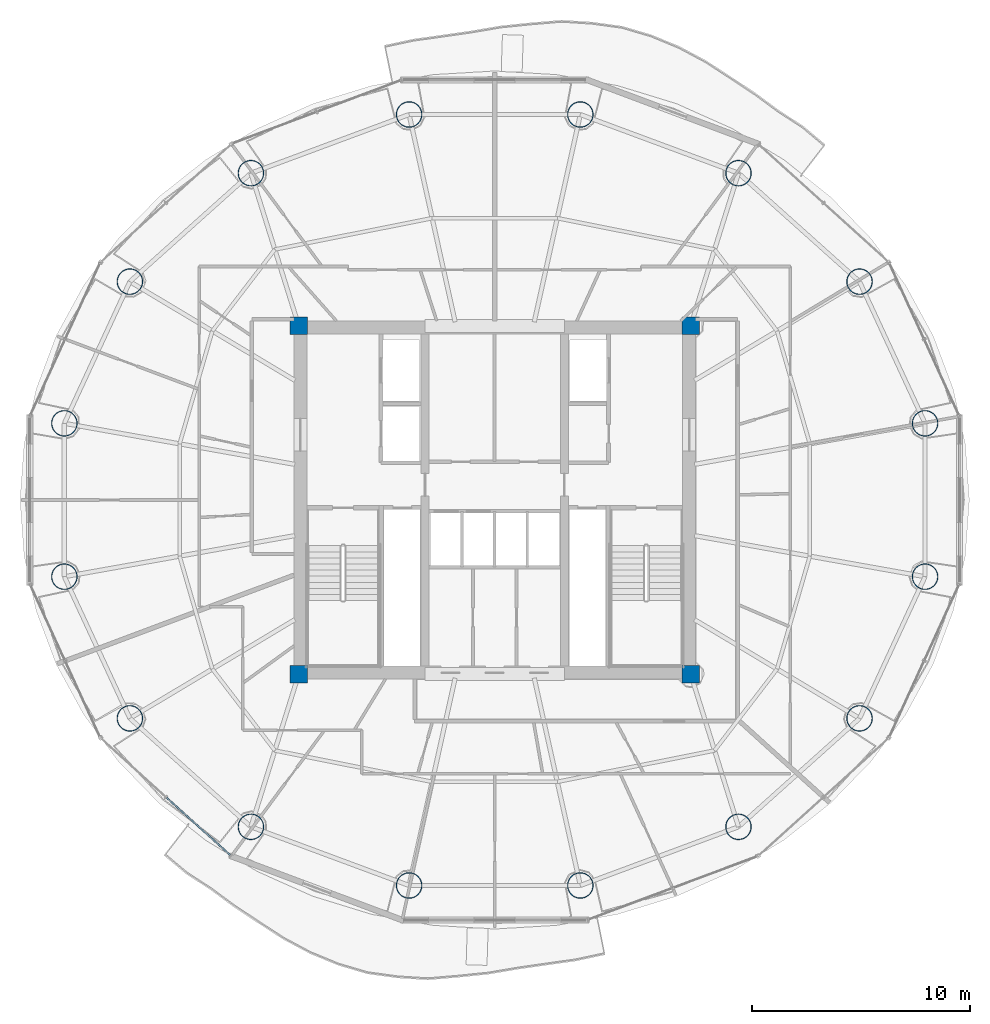
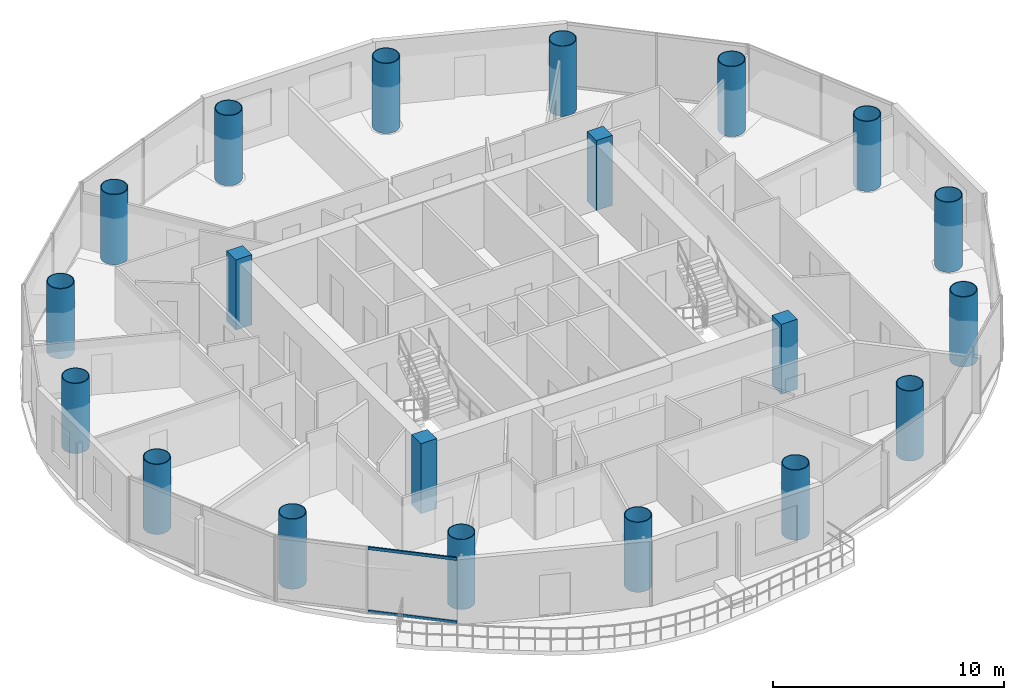
# One storey, part 1 of 26: 20 columns, 2 members, 1 element without a shape of its own.
"""IFC4 building model written with IfcOpenShell, lengths in metres."""

import ifcopenshell
import ifcopenshell.guid

model = None  # the IFC model being written
_history = None  # IfcOwnerHistory: only IFC2X3 demands one
_inside = {}  # id of a spatial element -> (the spatial element, [elements in it])
_under = {}  # id of a project, library or spatial element -> (it, [spatial elements below it])
_declared = {}  # id of a project -> (the project, [libraries it declares])
_typed = {}  # id of a type object -> (the type object, [elements of that type])
_made_of = {}  # id of a material, layer set ... -> (it, [elements and type objects made of it])


def new_model(schema):
    """Start an empty IFC model of exactly this schema.

    Asked for "IFC4X3", IfcOpenShell would pick the latest addendum, in which some entities
    have other attributes; the version numbers below select the first issue.
    IFC2X3 requires an IfcOwnerHistory on every rooted entity: one is made here for all.
    """
    global model, _history
    if schema == "IFC4X3":
        model = ifcopenshell.file(schema_version=(4, 3, 0, 0))
    else:
        model = ifcopenshell.file(schema=schema)
    _inside.clear()
    _under.clear()
    _declared.clear()
    _typed.clear()
    _made_of.clear()
    _history = None
    if model.schema == "IFC2X3":
        org = make("IfcOrganization", Name="unknown")
        user = make(
            "IfcPersonAndOrganization",
            ThePerson=make("IfcPerson", FamilyName="unknown"),
            TheOrganization=org,
        )
        app = make(
            "IfcApplication",
            ApplicationDeveloper=org,
            Version="unknown",
            ApplicationFullName="unknown",
            ApplicationIdentifier="unknown",
        )
        _history = make(
            "IfcOwnerHistory",
            OwningUser=user,
            OwningApplication=app,
            ChangeAction="ADDED",
            CreationDate=0,
        )
    return model


def make(cls, **values):
    """One entity of the class cls with the attributes given. An attribute that is None is left unset."""
    return model.create_entity(
        cls, **{name: value for name, value in values.items() if value is not None}
    )


def rooted(cls, **values):
    """An entity with a GlobalId (a new one), such as an element, a storey or a relation."""
    return make(cls, GlobalId=ifcopenshell.guid.new(), OwnerHistory=_history, **values)


def si_unit(unit_type, name, prefix=None):
    """IfcSIUnit, for example si_unit("LENGTHUNIT", "METRE", prefix="MILLI")."""
    return make("IfcSIUnit", UnitType=unit_type, Prefix=prefix, Name=name)


def assignment(units):
    """IfcUnitAssignment: the units of a project."""
    return None if units is None else make("IfcUnitAssignment", Units=units)


def point(xyz):
    """IfcCartesianPoint."""
    return None if xyz is None else make("IfcCartesianPoint", Coordinates=xyz)


def direction(xyz):
    """IfcDirection."""
    return None if xyz is None else make("IfcDirection", DirectionRatios=xyz)


def frame(location, z_axis=None, x_axis=None):
    """IfcAxis2Placement3D, a coordinate frame: its origin and axes. An axis left out is left unset."""
    return make(
        "IfcAxis2Placement3D",
        Location=point(location),
        Axis=direction(z_axis),
        RefDirection=direction(x_axis),
    )


def frame_2d(location, x_axis=None):
    """IfcAxis2Placement2D, a coordinate frame in the plane: its origin and x axis."""
    return make(
        "IfcAxis2Placement2D", Location=point(location), RefDirection=direction(x_axis)
    )


def origin():
    """The frame at (0, 0, 0) with its axes left unset."""
    return frame((0.0, 0.0, 0.0))


def origin_2d():
    """The frame at (0, 0) in the plane with its x axis left unset."""
    return frame_2d((0.0, 0.0))


def place(relative_to, where):
    """IfcLocalPlacement: puts the frame where relative to a parent placement (None: the world)."""
    return make(
        "IfcLocalPlacement", PlacementRelTo=relative_to, RelativePlacement=where
    )


def context(
    kind, dimensions, precision=None, world=None, true_north=None, identifier=None
):
    """IfcGeometricRepresentationContext, for example the 3D "Model" context."""
    return make(
        "IfcGeometricRepresentationContext",
        ContextIdentifier=identifier,
        ContextType=kind,
        CoordinateSpaceDimension=dimensions,
        Precision=precision,
        WorldCoordinateSystem=world,
        TrueNorth=true_north,
    )


def subcontext(parent, identifier, kind, view, scale=None):
    """IfcGeometricRepresentationSubContext, for example "Body" below "Model"."""
    return make(
        "IfcGeometricRepresentationSubContext",
        ContextIdentifier=identifier,
        ContextType=kind,
        ParentContext=parent,
        TargetScale=scale,
        TargetView=view,
    )


def project(units=None, contexts=None):
    """IfcProject with its units and contexts."""
    return rooted(
        "IfcProject",
        Name="project",
        RepresentationContexts=contexts,
        UnitsInContext=assignment(units),
    )


def spatial(cls, under=None, at=None, **own):
    """A site, building, storey or space (cls), placed at a placement, below another one or the project."""
    s = rooted(cls, ObjectPlacement=at, **own)
    if under is not None:
        _under.setdefault(under.id(), (under, []))[1].append(s)
    return s


def profile(cls, at=None, kind="AREA", **sizes):
    """A parametric profile (cls). Its sizes go by their IFC names, for example OverallWidth=200.0."""
    return make(cls, ProfileType=kind, Position=at, **sizes)


def rectangle(**sizes):
    """IfcRectangleProfileDef."""
    return profile("IfcRectangleProfileDef", **sizes)


def hollow_rectangle(**sizes):
    """IfcRectangleHollowProfileDef."""
    return profile("IfcRectangleHollowProfileDef", **sizes)


def hollow_circle(**sizes):
    """IfcCircleHollowProfileDef."""
    return profile("IfcCircleHollowProfileDef", **sizes)


def extrude(swept, where, along, depth):
    """IfcExtrudedAreaSolid: the profile swept, set in the frame where, extruded along a direction by depth."""
    return make(
        "IfcExtrudedAreaSolid",
        SweptArea=swept,
        Position=where,
        ExtrudedDirection=direction(along),
        Depth=depth,
    )


def shape(context_of_items, identifier, shape_type, items):
    """IfcShapeRepresentation: the items that make up one representation, for example the "Body"."""
    return make(
        "IfcShapeRepresentation",
        ContextOfItems=context_of_items,
        RepresentationIdentifier=identifier,
        RepresentationType=shape_type,
        Items=items,
    )


def source(mapping_origin, context_of_items, identifier, shape_type, items):
    """IfcRepresentationMap: a shape defined once, which mapped items show again and again."""
    return make(
        "IfcRepresentationMap",
        MappingOrigin=mapping_origin,
        MappedRepresentation=shape(context_of_items, identifier, shape_type, items),
    )


def transform(
    local_origin,
    x_axis=None,
    y_axis=None,
    z_axis=None,
    scale=None,
    scale2=None,
    scale3=None,
    uniform=True,
):
    """IfcCartesianTransformationOperator3D, or its non-uniform kind. x_axis, y_axis, z_axis: its Axis1, 2, 3."""
    if uniform:
        return make(
            "IfcCartesianTransformationOperator3D",
            Axis1=direction(x_axis),
            Axis2=direction(y_axis),
            LocalOrigin=point(local_origin),
            Scale=scale,
            Axis3=direction(z_axis),
        )
    return make(
        "IfcCartesianTransformationOperator3DnonUniform",
        Axis1=direction(x_axis),
        Axis2=direction(y_axis),
        LocalOrigin=point(local_origin),
        Scale=scale,
        Axis3=direction(z_axis),
        Scale2=scale2,
        Scale3=scale3,
    )


def mapped(mapping_source, mapping_target):
    """IfcMappedItem: shows the shape of a source again, moved by a transform."""
    return make(
        "IfcMappedItem", MappingSource=mapping_source, MappingTarget=mapping_target
    )


def material(Name=None, Category=None):
    """IfcMaterial."""
    return make("IfcMaterial", Name=Name, Category=Category)


def material_profile(
    of_material, cross_section, Name=None, Category=None, Priority=None
):
    """IfcMaterialProfile: a cross section and its material."""
    return make(
        "IfcMaterialProfile",
        Name=Name,
        Material=of_material,
        Profile=cross_section,
        Priority=Priority,
        Category=Category,
    )


def profile_set(profiles, Name=None, composite=None):
    """IfcMaterialProfileSet."""
    return make(
        "IfcMaterialProfileSet",
        Name=Name,
        MaterialProfiles=profiles,
        CompositeProfile=composite,
    )


def made_of(thing, what):
    """Note that an element or type object is made of a material, layer set ...; save() writes the relation."""
    if what is not None:
        _made_of.setdefault(what.id(), (what, []))[1].append(thing)
    return thing


def type_object(cls, material=None, **own):
    """A type object (cls), such as IfcWallType, which elements share."""
    return made_of(rooted(cls, **own), material)


def element(
    cls,
    number,
    at=None,
    inside=None,
    cuts=None,
    type_object=None,
    material=None,
    context=None,
    identifier="Body",
    shape_type=None,
    held_by="IfcProductDefinitionShape",
    body=None,
    shapes=None,
    **own,
):
    """One element of the class cls, such as IfcWall. Its Tag is "e" and its number.

    at: its placement. inside: the storey or other place that contains it. cuts: it is an
    opening in that element (IfcRelVoidsElement). A single representation is given by context,
    identifier, shape_type and body (its items); several are given by shapes. held_by: the class
    of the entity that holds the representations. save() writes the other relations.
    """
    e = rooted(cls, Tag="e%d" % number, ObjectPlacement=at, **own)
    if body is not None:
        shapes = [shape(context, identifier, shape_type, body)]
    if shapes is not None:
        e.Representation = make(held_by, Representations=shapes)
    if inside is not None:
        _inside.setdefault(inside.id(), (inside, []))[1].append(e)
    if cuts is not None:
        rooted(
            "IfcRelVoidsElement", RelatingBuildingElement=cuts, RelatedOpeningElement=e
        )
    if type_object is not None:
        _typed.setdefault(type_object.id(), (type_object, []))[1].append(e)
    return made_of(e, material)


def aggregate(whole, parts):
    """IfcRelAggregates: a whole, such as a stair, and the parts it consists of."""
    return rooted("IfcRelAggregates", RelatingObject=whole, RelatedObjects=parts)


def save(model, path):
    """Write the relations noted so far, then the file.

    IfcRelAggregates (storeys below a building ...), IfcRelContainedInSpatialStructure (elements
    in a storey), IfcRelDefinesByType, IfcRelAssociatesMaterial and IfcRelDeclares: one each for
    every whole, place, type object, material and project.
    """
    for whole, parts in _under.values():
        aggregate(whole, parts)
    for where, things in _inside.values():
        rooted(
            "IfcRelContainedInSpatialStructure",
            RelatedElements=things,
            RelatingStructure=where,
        )
    for kind, things in _typed.values():
        rooted("IfcRelDefinesByType", RelatedObjects=things, RelatingType=kind)
    for what, things in _made_of.values():
        rooted("IfcRelAssociatesMaterial", RelatedObjects=things, RelatingMaterial=what)
    for by, libraries in _declared.values():
        rooted("IfcRelDeclares", RelatingContext=by, RelatedDefinitions=libraries)
    model.write(path)


model = new_model("IFC4")

# Units and contexts
model_context = context("Model", 3, precision=1e-05, world=origin(), true_north=direction((-0.2419218956, 0.970295726276)))
body_context = subcontext(model_context, "Body", "Model", "MODEL_VIEW")
ifc_project = project(units=[si_unit("LENGTHUNIT", "METRE"), si_unit("AREAUNIT", "SQUARE_METRE"), si_unit("VOLUMEUNIT", "CUBIC_METRE"), si_unit("PLANEANGLEUNIT", "RADIAN"), si_unit("MASSUNIT", "GRAM", prefix="KILO")], contexts=[model_context])

# Site, building, storey
site_placement = place(None, origin())
site = spatial("IfcSite", under=ifc_project, at=site_placement, CompositionType="ELEMENT")
building_placement = place(site_placement, origin())
building = spatial("IfcBuilding", under=site, at=building_placement, Name="Cobrevalo Terracotta Tower", CompositionType="ELEMENT")
storey_placement = place(building_placement, frame((0.0, 0.0, 206.0)))
storey = spatial("IfcBuildingStorey", under=building, at=storey_placement, Name="L54", CompositionType="ELEMENT", Elevation=206.0)

# Columns
ifc_material_1 = material(Name="Steel S355", Category="steel")
ifc_material_profile_1 = material_profile(ifc_material_1, hollow_circle(Radius=0.60009765625, WallThickness=0.0380859375, at=origin_2d()), Name="CHS 1200x38")
ifc_profile_set_1 = profile_set([ifc_material_profile_1], Name="Steel S355")
column_type_1 = type_object("IfcColumnType", Name="Structural Column CHS 1200x38 (Steel S355)", PredefinedType="COLUMN", material=ifc_profile_set_1)
for number, where, z_axis, x_axis, name in (
    (1, (57.762939453125, 30.3212890625, 0.0), (0.0, 0.0, 1.0), (1.0, 0.0, 0.0), "L54 composite megacolumn MC01"),
    (2, (54.754150390625, 36.828125, 0.0), (0.0, 0.0, 1.0), (1.0, 0.0, 0.0), "L54 composite megacolumn MC02"),
    (3, (49.19482421875, 41.80810546875, 0.0), (0.0, 0.0, 1.0), (1.0, 0.0, 0.0), "L54 composite megacolumn MC03"),
    (4, (41.93115234375, 44.503173828125, 0.0), (0.0, 0.0, 1.0), (1.0, 0.0, 0.0), "L54 composite megacolumn MC04"),
    (5, (34.06884765625, 44.503173828125, 0.0), (0.0, 0.0, 1.0), (1.0, 0.0, 0.0), "L54 composite megacolumn MC05"),
    (6, (26.80517578125, 41.80810546875, 0.0), (0.0, 0.0, 1.0), (1.0, 0.0, 0.0), "L54 composite megacolumn MC06"),
    (7, (21.245849609375, 36.828125, 0.0), (0.0, 0.0, 1.0), (1.0, 0.0, 0.0), "L54 composite megacolumn MC07"),
    (8, (18.237060546875, 30.3212890625, 0.0), (0.0, 0.0, 1.0), (1.0, 0.0, 0.0), "L54 composite megacolumn MC08"),
    (9, (18.237060546875, 23.278564453125, 0.0), (0.0, 0.0, 1.0), (1.0, 0.0, 0.0), "L54 composite megacolumn MC09"),
    (10, (21.245849609375, 16.77197265625, 0.0), (0.0, 0.0, 1.0), (1.0, 0.0, 0.0), "L54 composite megacolumn MC10"),
    (11, (26.80517578125, 11.7919921875, 0.0), (0.0, 0.0, 1.0), (1.0, 0.0, 0.0), "L54 composite megacolumn MC11"),
    (12, (34.06884765625, 9.096923828125, 0.0), (0.0, 0.0, 1.0), (1.0, 0.0, 0.0), "L54 composite megacolumn MC12"),
    (13, (41.93115234375, 9.096923828125, 0.0), (0.0, 0.0, 1.0), (1.0, 0.0, 0.0), "L54 composite megacolumn MC13"),
    (14, (49.19482421875, 11.7919921875, 0.0), (0.0, 0.0, 1.0), (1.0, 0.0, 0.0), "L54 composite megacolumn MC14"),
    (15, (54.754150390625, 16.77197265625, 0.0), (0.0, 0.0, 1.0), (1.0, 0.0, 0.0), "L54 composite megacolumn MC15"),
    (16, (57.762939453125, 23.278564453125, 0.0), (0.0, 0.0, 1.0), (1.0, 0.0, 0.0), "L54 composite megacolumn MC16"),
):
    element("IfcColumn", number, at=place(storey_placement, frame(where, z_axis=z_axis, x_axis=x_axis)), inside=storey, type_object=column_type_1, Name=name, PredefinedType="COLUMN", context=body_context, shape_type="SweptSolid", body=[
        extrude(hollow_circle(Radius=0.60009765625, WallThickness=0.0380859375, at=origin_2d()), origin(), (0.0, 0.0, 1.0), 3.699951171875),
    ])
ifc_material_2 = material(Name="Concrete C50", Category="concrete")
ifc_material_profile_2 = material_profile(ifc_material_2, rectangle(XDim=0.800048828125, YDim=0.800048828125, at=origin_2d()), Name="RC COL 800x800")
ifc_profile_set_2 = profile_set([ifc_material_profile_2], Name="Concrete C50")
column_type_2 = type_object("IfcColumnType", Name="Structural Column RC COL 800x800 (Concrete C50)", PredefinedType="COLUMN", material=ifc_profile_set_2)
for number, where, z_axis, x_axis, name in (
    (17, (29.0, 18.800048828125, 0.0), (0.0, 0.0, 1.0), (1.0, 0.0, 0.0), "L54 core corner column CC1"),
    (18, (47.0, 18.800048828125, 0.0), (0.0, 0.0, 1.0), (1.0, 0.0, 0.0), "L54 core corner column CC2"),
    (19, (47.0, 34.800048828125, 0.0), (0.0, 0.0, 1.0), (1.0, 0.0, 0.0), "L54 core corner column CC3"),
    (20, (29.0, 34.800048828125, 0.0), (0.0, 0.0, 1.0), (1.0, 0.0, 0.0), "L54 core corner column CC4"),
):
    element("IfcColumn", number, at=place(storey_placement, frame(where, z_axis=z_axis, x_axis=x_axis)), inside=storey, type_object=column_type_2, Name=name, PredefinedType="COLUMN", context=body_context, shape_type="SweptSolid", body=[
        extrude(rectangle(XDim=0.800048828125, YDim=0.800048828125, at=origin_2d()), origin(), (0.0, 0.0, 1.0), 3.699951171875),
    ])

# Curtain wall, members
ifc_material_3 = material(Name="Anodized aluminium", Category="aluminium")
curtain_wall_type = type_object("IfcCurtainWallType", Name="Mid-tower high-wind unitised curtain wall CW-U2", PredefinedType="NOTDEFINED", material=ifc_material_3)
curtain_wall_placement = place(storey_placement, origin())
curtain_wall = element("IfcCurtainWall", 21, at=curtain_wall_placement, inside=storey, type_object=curtain_wall_type, Name="L54 curtain wall CW-L54-S10", PredefinedType="NOTDEFINED")
ifc_material_profile_3 = material_profile(ifc_material_3, hollow_rectangle(XDim=0.074951171875, YDim=0.14990234375, WallThickness=0.00439453125, at=origin_2d()), Name="CWT 75x150")
ifc_profile_set_3 = profile_set([ifc_material_profile_3], Name="Anodized aluminium")
member_type = type_object("IfcMemberType", Name="Tower unitised aluminium transom 75x150", PredefinedType="USERDEFINED", material=ifc_profile_set_3)
shared_shape = source(origin(), body_context, "Body", "SweptSolid", [
    extrude(hollow_rectangle(XDim=0.074951171875, YDim=0.14990234375, WallThickness=0.00439453125, at=origin_2d()), origin(), (0.0, 0.0, 1.0), 3.927734375),
])
member_1_placement = place(storey_placement, frame((22.931640625, 13.131591796875, 0.050048828125), z_axis=(0.742003891138, -0.670395573923, 0.0), x_axis=(0.670395573923, 0.742003891138, 0.0)))
member_1 = element("IfcMember", 22, at=member_1_placement, type_object=member_type, Name="CW-L54-S10 transom B02-T1", ObjectType="TRANSOM", PredefinedType="USERDEFINED", context=body_context, shape_type="MappedRepresentation", body=[
    mapped(shared_shape, transform((0.0, 0.0, 0.0), scale=1.0)),
])
member_2_placement = place(storey_placement, frame((22.931640625, 13.131591796875, 3.385009765625), z_axis=(0.742003891138, -0.670395573923, 0.0), x_axis=(0.670395573923, 0.742003891138, 0.0)))
member_2 = element("IfcMember", 23, at=member_2_placement, type_object=member_type, Name="CW-L54-S10 transom B02-T2", ObjectType="TRANSOM", PredefinedType="USERDEFINED", context=body_context, shape_type="MappedRepresentation", body=[
    mapped(shared_shape, transform((0.0, 0.0, 0.0), scale=1.0)),
])
aggregate(curtain_wall, [member_1, member_2])

save(model, "model.ifc")
